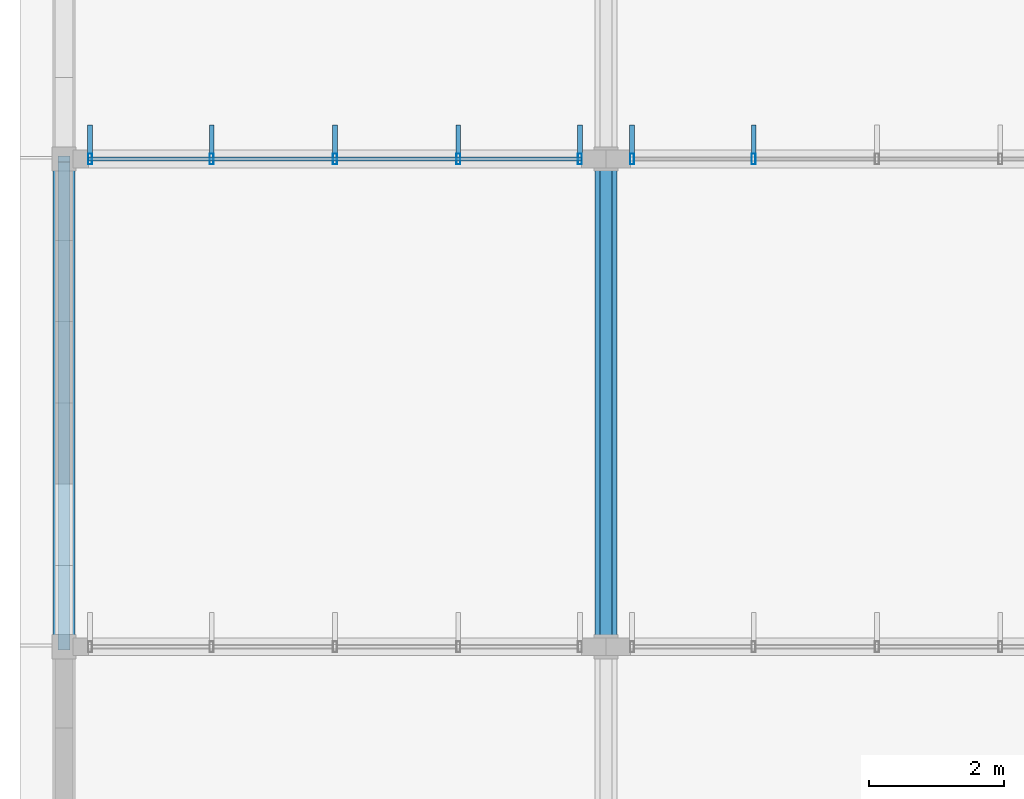
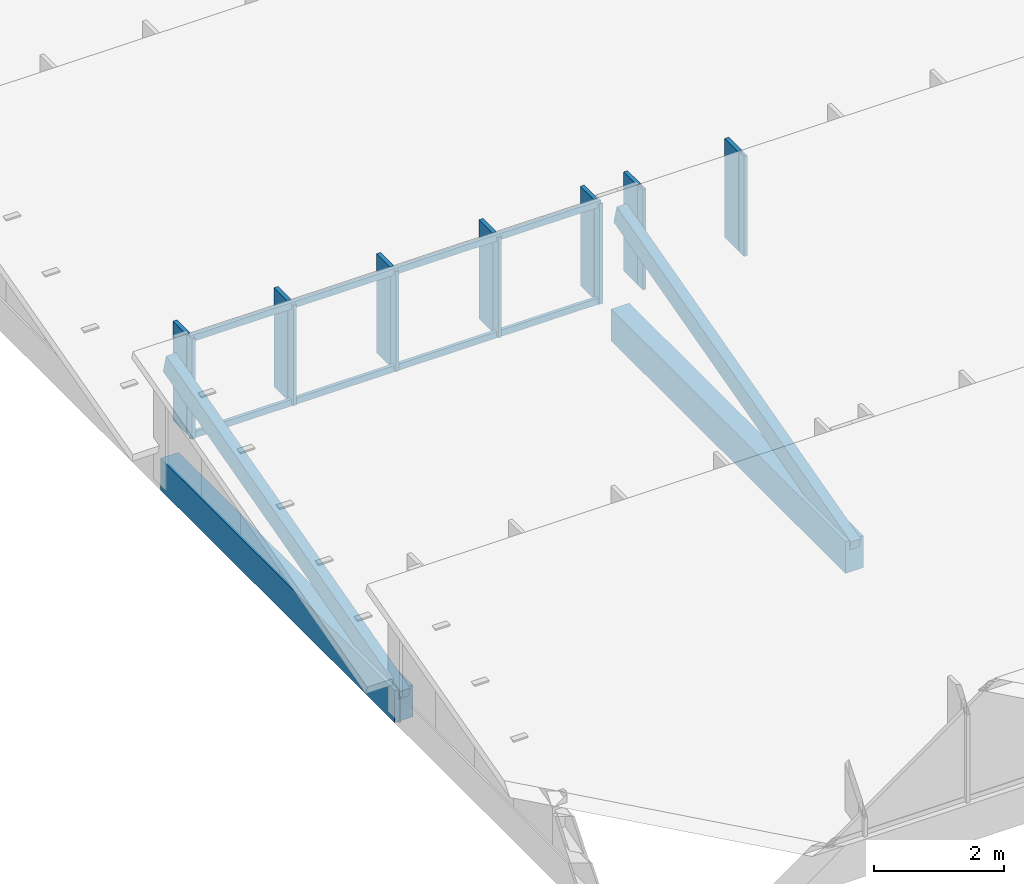
# One storey, part 28 of 94: 20 members, 2 elements without a shape of their own.
"""IFC4 building model written with IfcOpenShell, lengths in metres."""

import ifcopenshell
import ifcopenshell.guid

model = None  # the IFC model being written
_history = None  # IfcOwnerHistory: only IFC2X3 demands one
_inside = {}  # id of a spatial element -> (the spatial element, [elements in it])
_under = {}  # id of a project, library or spatial element -> (it, [spatial elements below it])
_declared = {}  # id of a project -> (the project, [libraries it declares])
_typed = {}  # id of a type object -> (the type object, [elements of that type])
_made_of = {}  # id of a material, layer set ... -> (it, [elements and type objects made of it])


def new_model(schema):
    """Start an empty IFC model of exactly this schema.

    Asked for "IFC4X3", IfcOpenShell would pick the latest addendum, in which some entities
    have other attributes; the version numbers below select the first issue.
    IFC2X3 requires an IfcOwnerHistory on every rooted entity: one is made here for all.
    """
    global model, _history
    if schema == "IFC4X3":
        model = ifcopenshell.file(schema_version=(4, 3, 0, 0))
    else:
        model = ifcopenshell.file(schema=schema)
    _inside.clear()
    _under.clear()
    _declared.clear()
    _typed.clear()
    _made_of.clear()
    _history = None
    if model.schema == "IFC2X3":
        org = make("IfcOrganization", Name="unknown")
        user = make(
            "IfcPersonAndOrganization",
            ThePerson=make("IfcPerson", FamilyName="unknown"),
            TheOrganization=org,
        )
        app = make(
            "IfcApplication",
            ApplicationDeveloper=org,
            Version="unknown",
            ApplicationFullName="unknown",
            ApplicationIdentifier="unknown",
        )
        _history = make(
            "IfcOwnerHistory",
            OwningUser=user,
            OwningApplication=app,
            ChangeAction="ADDED",
            CreationDate=0,
        )
    return model


def make(cls, **values):
    """One entity of the class cls with the attributes given. An attribute that is None is left unset."""
    return model.create_entity(
        cls, **{name: value for name, value in values.items() if value is not None}
    )


def rooted(cls, **values):
    """An entity with a GlobalId (a new one), such as an element, a storey or a relation."""
    return make(cls, GlobalId=ifcopenshell.guid.new(), OwnerHistory=_history, **values)


def si_unit(unit_type, name, prefix=None):
    """IfcSIUnit, for example si_unit("LENGTHUNIT", "METRE", prefix="MILLI")."""
    return make("IfcSIUnit", UnitType=unit_type, Prefix=prefix, Name=name)


def assignment(units):
    """IfcUnitAssignment: the units of a project."""
    return None if units is None else make("IfcUnitAssignment", Units=units)


def point(xyz):
    """IfcCartesianPoint."""
    return None if xyz is None else make("IfcCartesianPoint", Coordinates=xyz)


def direction(xyz):
    """IfcDirection."""
    return None if xyz is None else make("IfcDirection", DirectionRatios=xyz)


def frame(location, z_axis=None, x_axis=None):
    """IfcAxis2Placement3D, a coordinate frame: its origin and axes. An axis left out is left unset."""
    return make(
        "IfcAxis2Placement3D",
        Location=point(location),
        Axis=direction(z_axis),
        RefDirection=direction(x_axis),
    )


def frame_2d(location, x_axis=None):
    """IfcAxis2Placement2D, a coordinate frame in the plane: its origin and x axis."""
    return make(
        "IfcAxis2Placement2D", Location=point(location), RefDirection=direction(x_axis)
    )


def origin():
    """The frame at (0, 0, 0) with its axes left unset."""
    return frame((0.0, 0.0, 0.0))


def origin_2d():
    """The frame at (0, 0) in the plane with its x axis left unset."""
    return frame_2d((0.0, 0.0))


def place(relative_to, where):
    """IfcLocalPlacement: puts the frame where relative to a parent placement (None: the world)."""
    return make(
        "IfcLocalPlacement", PlacementRelTo=relative_to, RelativePlacement=where
    )


def context(
    kind, dimensions, precision=None, world=None, true_north=None, identifier=None
):
    """IfcGeometricRepresentationContext, for example the 3D "Model" context."""
    return make(
        "IfcGeometricRepresentationContext",
        ContextIdentifier=identifier,
        ContextType=kind,
        CoordinateSpaceDimension=dimensions,
        Precision=precision,
        WorldCoordinateSystem=world,
        TrueNorth=true_north,
    )


def subcontext(parent, identifier, kind, view, scale=None):
    """IfcGeometricRepresentationSubContext, for example "Body" below "Model"."""
    return make(
        "IfcGeometricRepresentationSubContext",
        ContextIdentifier=identifier,
        ContextType=kind,
        ParentContext=parent,
        TargetScale=scale,
        TargetView=view,
    )


def project(units=None, contexts=None):
    """IfcProject with its units and contexts."""
    return rooted(
        "IfcProject",
        Name="project",
        RepresentationContexts=contexts,
        UnitsInContext=assignment(units),
    )


def spatial(cls, under=None, at=None, **own):
    """A site, building, storey or space (cls), placed at a placement, below another one or the project."""
    s = rooted(cls, ObjectPlacement=at, **own)
    if under is not None:
        _under.setdefault(under.id(), (under, []))[1].append(s)
    return s


def profile(cls, at=None, kind="AREA", **sizes):
    """A parametric profile (cls). Its sizes go by their IFC names, for example OverallWidth=200.0."""
    return make(cls, ProfileType=kind, Position=at, **sizes)


def rectangle(**sizes):
    """IfcRectangleProfileDef."""
    return profile("IfcRectangleProfileDef", **sizes)


def hollow_rectangle(**sizes):
    """IfcRectangleHollowProfileDef."""
    return profile("IfcRectangleHollowProfileDef", **sizes)


def extrude(swept, where, along, depth):
    """IfcExtrudedAreaSolid: the profile swept, set in the frame where, extruded along a direction by depth."""
    return make(
        "IfcExtrudedAreaSolid",
        SweptArea=swept,
        Position=where,
        ExtrudedDirection=direction(along),
        Depth=depth,
    )


def shape(context_of_items, identifier, shape_type, items):
    """IfcShapeRepresentation: the items that make up one representation, for example the "Body"."""
    return make(
        "IfcShapeRepresentation",
        ContextOfItems=context_of_items,
        RepresentationIdentifier=identifier,
        RepresentationType=shape_type,
        Items=items,
    )


def material(Name=None, Category=None):
    """IfcMaterial."""
    return make("IfcMaterial", Name=Name, Category=Category)


def material_profile(
    of_material, cross_section, Name=None, Category=None, Priority=None
):
    """IfcMaterialProfile: a cross section and its material."""
    return make(
        "IfcMaterialProfile",
        Name=Name,
        Material=of_material,
        Profile=cross_section,
        Priority=Priority,
        Category=Category,
    )


def profile_set(profiles, Name=None, composite=None):
    """IfcMaterialProfileSet."""
    return make(
        "IfcMaterialProfileSet",
        Name=Name,
        MaterialProfiles=profiles,
        CompositeProfile=composite,
    )


def made_of(thing, what):
    """Note that an element or type object is made of a material, layer set ...; save() writes the relation."""
    if what is not None:
        _made_of.setdefault(what.id(), (what, []))[1].append(thing)
    return thing


def type_object(cls, material=None, **own):
    """A type object (cls), such as IfcWallType, which elements share."""
    return made_of(rooted(cls, **own), material)


def element(
    cls,
    number,
    at=None,
    inside=None,
    cuts=None,
    type_object=None,
    material=None,
    context=None,
    identifier="Body",
    shape_type=None,
    held_by="IfcProductDefinitionShape",
    body=None,
    shapes=None,
    **own,
):
    """One element of the class cls, such as IfcWall. Its Tag is "e" and its number.

    at: its placement. inside: the storey or other place that contains it. cuts: it is an
    opening in that element (IfcRelVoidsElement). A single representation is given by context,
    identifier, shape_type and body (its items); several are given by shapes. held_by: the class
    of the entity that holds the representations. save() writes the other relations.
    """
    e = rooted(cls, Tag="e%d" % number, ObjectPlacement=at, **own)
    if body is not None:
        shapes = [shape(context, identifier, shape_type, body)]
    if shapes is not None:
        e.Representation = make(held_by, Representations=shapes)
    if inside is not None:
        _inside.setdefault(inside.id(), (inside, []))[1].append(e)
    if cuts is not None:
        rooted(
            "IfcRelVoidsElement", RelatingBuildingElement=cuts, RelatedOpeningElement=e
        )
    if type_object is not None:
        _typed.setdefault(type_object.id(), (type_object, []))[1].append(e)
    return made_of(e, material)


def aggregate(whole, parts):
    """IfcRelAggregates: a whole, such as a stair, and the parts it consists of."""
    return rooted("IfcRelAggregates", RelatingObject=whole, RelatedObjects=parts)


def save(model, path):
    """Write the relations noted so far, then the file.

    IfcRelAggregates (storeys below a building ...), IfcRelContainedInSpatialStructure (elements
    in a storey), IfcRelDefinesByType, IfcRelAssociatesMaterial and IfcRelDeclares: one each for
    every whole, place, type object, material and project.
    """
    for whole, parts in _under.values():
        aggregate(whole, parts)
    for where, things in _inside.values():
        rooted(
            "IfcRelContainedInSpatialStructure",
            RelatedElements=things,
            RelatingStructure=where,
        )
    for kind, things in _typed.values():
        rooted("IfcRelDefinesByType", RelatedObjects=things, RelatingType=kind)
    for what, things in _made_of.values():
        rooted("IfcRelAssociatesMaterial", RelatedObjects=things, RelatingMaterial=what)
    for by, libraries in _declared.values():
        rooted("IfcRelDeclares", RelatingContext=by, RelatedDefinitions=libraries)
    model.write(path)


model = new_model("IFC4")

# Units and contexts
model_context = context("Model", 3, precision=1e-05, world=origin(), true_north=direction((0.0, 1.0)))
body_context = subcontext(model_context, "Body", "Model", "MODEL_VIEW")
ifc_project = project(units=[si_unit("LENGTHUNIT", "METRE"), si_unit("AREAUNIT", "SQUARE_METRE"), si_unit("VOLUMEUNIT", "CUBIC_METRE"), si_unit("PLANEANGLEUNIT", "RADIAN"), si_unit("MASSUNIT", "GRAM", prefix="KILO")], contexts=[model_context])

# Site, building, storey
site_placement = place(None, origin())
site = spatial("IfcSite", under=ifc_project, at=site_placement, CompositionType="ELEMENT")
building_placement = place(site_placement, origin())
building = spatial("IfcBuilding", under=site, at=building_placement, Name="Chiffa Square Polytechnic", CompositionType="ELEMENT")
storey_placement = place(building_placement, frame((0.0, 0.0, 18.0)))
storey = spatial("IfcBuildingStorey", under=building, at=storey_placement, Name="L04", CompositionType="ELEMENT", Elevation=18.0)

# Curtain wall, members
ifc_material_1 = material(Name="Aluminium EN AW-6060 T66 and glulam shading", Category="wood")
curtain_wall_type_1 = type_object("IfcCurtainWallType", Name="CW-VERT-540X440", PredefinedType="USERDEFINED", material=ifc_material_1)
curtain_wall_1_placement = place(storey_placement, origin())
curtain_wall_1 = element("IfcCurtainWall", 1, at=curtain_wall_1_placement, inside=storey, type_object=curtain_wall_type_1, Name="Curtain wall CW-V6-SAW6-1", ObjectType="CURTAIN WALL", PredefinedType="USERDEFINED")
ifc_material_2 = material(Name="Aluminium EN AW-6060 T66", Category="aluminium")
ifc_material_profile_1 = material_profile(ifc_material_2, hollow_rectangle(XDim=0.06005859375, YDim=0.159912109375, WallThickness=0.00390625, at=origin_2d()), Name="ALU 60x160x4")
ifc_profile_set_1 = profile_set([ifc_material_profile_1], Name="Aluminium EN AW-6060 T66")
member_type_1 = type_object("IfcMemberType", Name="CWM-ALU-65X150", PredefinedType="MULLION", material=ifc_profile_set_1)
member_1_placement = place(storey_placement, frame((7.614990234375, 79.800048828125, 0.699951171875), z_axis=(0.0, 0.0, 1.0), x_axis=(1.0, 0.0, 0.0)))
member_1 = element("IfcMember", 2, at=member_1_placement, type_object=member_type_1, Name="Curtain wall mullion CW-V6-SAW6-1-M00", PredefinedType="MULLION", context=body_context, shape_type="SweptSolid", body=[
    extrude(hollow_rectangle(XDim=0.06005859375, YDim=0.159912109375, WallThickness=0.00390625, at=origin_2d()), origin(), (0.0, 0.0, 1.0), 1.879150390625),
])
member_2_placement = place(storey_placement, frame((5.820068359375, 79.800048828125, 0.699951171875), z_axis=(0.0, 0.0, 1.0), x_axis=(1.0, 0.0, 0.0)))
member_2 = element("IfcMember", 3, at=member_2_placement, type_object=member_type_1, Name="Curtain wall mullion CW-V6-SAW6-1-M01", PredefinedType="MULLION", context=body_context, shape_type="SweptSolid", body=[
    extrude(hollow_rectangle(XDim=0.06005859375, YDim=0.159912109375, WallThickness=0.00390625, at=origin_2d()), origin(), (0.0, 0.0, 1.0), 1.879150390625),
])
member_3_placement = place(storey_placement, frame((4.0, 79.800048828125, 0.699951171875), z_axis=(0.0, 0.0, 1.0), x_axis=(1.0, 0.0, 0.0)))
member_3 = element("IfcMember", 4, at=member_3_placement, type_object=member_type_1, Name="Curtain wall mullion CW-V6-SAW6-1-M02", PredefinedType="MULLION", context=body_context, shape_type="SweptSolid", body=[
    extrude(hollow_rectangle(XDim=0.06005859375, YDim=0.159912109375, WallThickness=0.00390625, at=origin_2d()), origin(), (0.0, 0.0, 1.0), 1.879150390625),
])
member_4_placement = place(storey_placement, frame((2.179931640625, 79.800048828125, 0.699951171875), z_axis=(0.0, 0.0, 1.0), x_axis=(1.0, 0.0, 0.0)))
member_4 = element("IfcMember", 5, at=member_4_placement, type_object=member_type_1, Name="Curtain wall mullion CW-V6-SAW6-1-M03", PredefinedType="MULLION", context=body_context, shape_type="SweptSolid", body=[
    extrude(hollow_rectangle(XDim=0.06005859375, YDim=0.159912109375, WallThickness=0.00390625, at=origin_2d()), origin(), (0.0, 0.0, 1.0), 1.879150390625),
])
member_5_placement = place(storey_placement, frame((0.385009765625, 79.800048828125, 0.699951171875), z_axis=(0.0, 0.0, 1.0), x_axis=(1.0, 0.0, 0.0)))
member_5 = element("IfcMember", 6, at=member_5_placement, type_object=member_type_1, Name="Curtain wall mullion CW-V6-SAW6-1-M04", PredefinedType="MULLION", context=body_context, shape_type="SweptSolid", body=[
    extrude(hollow_rectangle(XDim=0.06005859375, YDim=0.159912109375, WallThickness=0.00390625, at=origin_2d()), origin(), (0.0, 0.0, 1.0), 1.879150390625),
])

curtain_wall_type_2 = type_object("IfcCurtainWallType", Name="CW-VERT-450X440", PredefinedType="USERDEFINED", material=ifc_material_1)
curtain_wall_2_placement = place(storey_placement, origin())
curtain_wall_2 = element("IfcCurtainWall", 7, at=curtain_wall_2_placement, inside=storey, type_object=curtain_wall_type_2, Name="Curtain wall CW-V6-SAW6-2", ObjectType="CURTAIN WALL", PredefinedType="USERDEFINED")
member_6_placement = place(storey_placement, frame((10.179931640625, 79.800048828125, 0.699951171875), z_axis=(0.0, 0.0, 1.0), x_axis=(1.0, 0.0, 0.0)))
member_6 = element("IfcMember", 8, at=member_6_placement, type_object=member_type_1, Name="Curtain wall mullion CW-V6-SAW6-2-M03", PredefinedType="MULLION", context=body_context, shape_type="SweptSolid", body=[
    extrude(hollow_rectangle(XDim=0.06005859375, YDim=0.159912109375, WallThickness=0.00390625, at=origin_2d()), origin(), (0.0, 0.0, 1.0), 1.879150390625),
])
member_7_placement = place(storey_placement, frame((8.385009765625, 79.800048828125, 0.699951171875), z_axis=(0.0, 0.0, 1.0), x_axis=(1.0, 0.0, 0.0)))
member_7 = element("IfcMember", 9, at=member_7_placement, type_object=member_type_1, Name="Curtain wall mullion CW-V6-SAW6-2-M04", PredefinedType="MULLION", context=body_context, shape_type="SweptSolid", body=[
    extrude(hollow_rectangle(XDim=0.06005859375, YDim=0.159912109375, WallThickness=0.00390625, at=origin_2d()), origin(), (0.0, 0.0, 1.0), 1.879150390625),
])

# Member
ifc_material_3 = material(Name="Glulam GL28h", Category="wood")
ifc_material_profile_2 = material_profile(ifc_material_3, rectangle(XDim=0.070068359375, YDim=0.419921875, at=origin_2d()), Name="GL28h 70x420")
ifc_profile_set_2 = profile_set([ifc_material_profile_2], Name="Glulam GL28h")
member_type_2 = type_object("IfcMemberType", Name="CWM-GL-70X420", PredefinedType="MULLION", material=ifc_profile_set_2)
member_8_placement = place(storey_placement, frame((7.614990234375, 80.092041015625, 0.7099609375), z_axis=(0.0, 0.0, 1.0), x_axis=(-1.0, 0.0, 0.0)))
member_8 = element("IfcMember", 10, at=member_8_placement, type_object=member_type_2, Name="Exterior glulam solar fin CW-V6-SAW6-1-FN00", PredefinedType="MULLION", context=body_context, shape_type="SweptSolid", body=[
    extrude(rectangle(XDim=0.070068359375, YDim=0.419921875, at=origin_2d()), origin(), (0.0, 0.0, 1.0), 1.859130859375),
])

member_9_placement = place(storey_placement, frame((5.820068359375, 80.092041015625, 0.7099609375), z_axis=(0.0, 0.0, 1.0), x_axis=(-1.0, 0.0, 0.0)))
member_9 = element("IfcMember", 11, at=member_9_placement, type_object=member_type_2, Name="Exterior glulam solar fin CW-V6-SAW6-1-FN01", PredefinedType="MULLION", context=body_context, shape_type="SweptSolid", body=[
    extrude(rectangle(XDim=0.070068359375, YDim=0.419921875, at=origin_2d()), origin(), (0.0, 0.0, 1.0), 1.859130859375),
])

member_10_placement = place(storey_placement, frame((4.0, 80.092041015625, 0.7099609375), z_axis=(0.0, 0.0, 1.0), x_axis=(-1.0, 0.0, 0.0)))
member_10 = element("IfcMember", 12, at=member_10_placement, type_object=member_type_2, Name="Exterior glulam solar fin CW-V6-SAW6-1-FN02", PredefinedType="MULLION", context=body_context, shape_type="SweptSolid", body=[
    extrude(rectangle(XDim=0.070068359375, YDim=0.419921875, at=origin_2d()), origin(), (0.0, 0.0, 1.0), 1.859130859375),
])

member_11_placement = place(storey_placement, frame((2.179931640625, 80.092041015625, 0.7099609375), z_axis=(0.0, 0.0, 1.0), x_axis=(-1.0, 0.0, 0.0)))
member_11 = element("IfcMember", 13, at=member_11_placement, type_object=member_type_2, Name="Exterior glulam solar fin CW-V6-SAW6-1-FN03", PredefinedType="MULLION", context=body_context, shape_type="SweptSolid", body=[
    extrude(rectangle(XDim=0.070068359375, YDim=0.419921875, at=origin_2d()), origin(), (0.0, 0.0, 1.0), 1.859130859375),
])

member_12_placement = place(storey_placement, frame((0.385009765625, 80.092041015625, 0.7099609375), z_axis=(0.0, 0.0, 1.0), x_axis=(-1.0, 0.0, 0.0)))
member_12 = element("IfcMember", 14, at=member_12_placement, type_object=member_type_2, Name="Exterior glulam solar fin CW-V6-SAW6-1-FN04", PredefinedType="MULLION", context=body_context, shape_type="SweptSolid", body=[
    extrude(rectangle(XDim=0.070068359375, YDim=0.419921875, at=origin_2d()), origin(), (0.0, 0.0, 1.0), 1.859130859375),
])

member_13_placement = place(storey_placement, frame((10.179931640625, 80.092041015625, 0.7099609375), z_axis=(0.0, 0.0, 1.0), x_axis=(-1.0, 0.0, 0.0)))
member_13 = element("IfcMember", 15, at=member_13_placement, type_object=member_type_2, Name="Exterior glulam solar fin CW-V6-SAW6-2-FN03", PredefinedType="MULLION", context=body_context, shape_type="SweptSolid", body=[
    extrude(rectangle(XDim=0.070068359375, YDim=0.419921875, at=origin_2d()), origin(), (0.0, 0.0, 1.0), 1.859130859375),
])

member_14_placement = place(storey_placement, frame((8.385009765625, 80.092041015625, 0.7099609375), z_axis=(0.0, 0.0, 1.0), x_axis=(-1.0, 0.0, 0.0)))
member_14 = element("IfcMember", 16, at=member_14_placement, type_object=member_type_2, Name="Exterior glulam solar fin CW-V6-SAW6-2-FN04", PredefinedType="MULLION", context=body_context, shape_type="SweptSolid", body=[
    extrude(rectangle(XDim=0.070068359375, YDim=0.419921875, at=origin_2d()), origin(), (0.0, 0.0, 1.0), 1.859130859375),
])

aggregate(curtain_wall_2, [member_6, member_13, member_7, member_14])

ifc_material_profile_3 = material_profile(ifc_material_2, hollow_rectangle(XDim=0.06005859375, YDim=0.1201171875, WallThickness=0.00390625, at=origin_2d()), Name="ALU 60x120x4")
ifc_profile_set_3 = profile_set([ifc_material_profile_3], Name="Aluminium EN AW-6060 T66")
member_type_3 = type_object("IfcMemberType", Name="CWT-ALU-65X120", PredefinedType="USERDEFINED", material=ifc_profile_set_3)
member_15_placement = place(storey_placement, frame((7.64208984375, 79.800048828125, 0.72998046875), z_axis=(-1.0, 0.0, 0.0), x_axis=(0.0, -1.0, 0.0)))
member_15 = element("IfcMember", 17, at=member_15_placement, type_object=member_type_3, Name="Curtain wall transom CW-V6-SAW6-1-T01", ObjectType="TRANSOM", PredefinedType="USERDEFINED", context=body_context, shape_type="SweptSolid", body=[
    extrude(hollow_rectangle(XDim=0.06005859375, YDim=0.1201171875, WallThickness=0.00390625, at=origin_2d()), origin(), (0.0, 0.0, 1.0), 7.2841796875),
])

member_16_placement = place(storey_placement, frame((7.64208984375, 79.800048828125, 2.549072265625), z_axis=(-1.0, 0.0, 0.0), x_axis=(0.0, -1.0, 0.0)))
member_16 = element("IfcMember", 18, at=member_16_placement, type_object=member_type_3, Name="Curtain wall transom CW-V6-SAW6-1-T02", ObjectType="TRANSOM", PredefinedType="USERDEFINED", context=body_context, shape_type="SweptSolid", body=[
    extrude(hollow_rectangle(XDim=0.06005859375, YDim=0.1201171875, WallThickness=0.00390625, at=origin_2d()), origin(), (0.0, 0.0, 1.0), 7.2841796875),
])

aggregate(curtain_wall_1, [member_1, member_8, member_2, member_9, member_3, member_10, member_4, member_11, member_5, member_12, member_15, member_16])

# Members
ifc_material_4 = material(Name="Glulam GL32c", Category="wood")
ifc_material_profile_4 = material_profile(ifc_material_4, rectangle(XDim=0.320068359375, YDim=0.60009765625, at=origin_2d()), Name="GL32c 320x600")
ifc_profile_set_4 = profile_set([ifc_material_profile_4], Name="Glulam GL32c")
member_type_4 = type_object("IfcMemberType", Name="MEM-CHORD-GL320", PredefinedType="CHORD", material=ifc_profile_set_4)
for number, where, z_axis, x_axis, name in (
    (19, (0.0, 72.60009765625, 0.179931640625), (0.0, 1.0, 0.0), (-1.0, 0.0, 0.0), "Studio sawtooth tie chord TCB-V6-SAW-026"),
    (20, (8.0, 72.60009765625, 0.179931640625), (0.0, 1.0, 0.0), (-1.0, 0.0, 0.0), "Studio sawtooth tie chord TCB-V6-SAW-027"),
):
    element("IfcMember", number, at=place(storey_placement, frame(where, z_axis=z_axis, x_axis=x_axis)), inside=storey, type_object=member_type_4, Name=name, PredefinedType="CHORD", context=body_context, shape_type="SweptSolid", body=[
        extrude(rectangle(XDim=0.320068359375, YDim=0.60009765625, at=origin_2d()), origin(), (0.0, 0.0, 1.0), 7.199951171875),
    ])
ifc_material_profile_5 = material_profile(ifc_material_3, rectangle(XDim=0.179931640625, YDim=0.360107421875, at=origin_2d()), Name="GL28h 180x360")
ifc_profile_set_5 = profile_set([ifc_material_profile_5], Name="Glulam GL28h")
member_type_5 = type_object("IfcMemberType", Name="MEM-RFT-GL180", PredefinedType="RAFTER", material=ifc_profile_set_5)
for number, where, z_axis, x_axis, name in (
    (21, (0.0, 72.60009765625, 0.300048828125), (0.0, 0.965934748059, 0.258785746309), (-1.0, 0.0, 0.0), "Studio sawtooth glulam rafter RF-V6-L04-026"),
    (22, (8.0, 72.60009765625, 0.300048828125), (0.0, 0.965934748059, 0.258785746309), (-1.0, 0.0, 0.0), "Studio sawtooth glulam rafter RF-V6-L04-027"),
):
    element("IfcMember", number, at=place(storey_placement, frame(where, z_axis=z_axis, x_axis=x_axis)), inside=storey, type_object=member_type_5, Name=name, PredefinedType="RAFTER", context=body_context, shape_type="SweptSolid", body=[
        extrude(rectangle(XDim=0.179931640625, YDim=0.360107421875, at=origin_2d()), origin(), (0.0, 0.0, 1.0), 7.453857421875),
    ])

save(model, "model.ifc")
